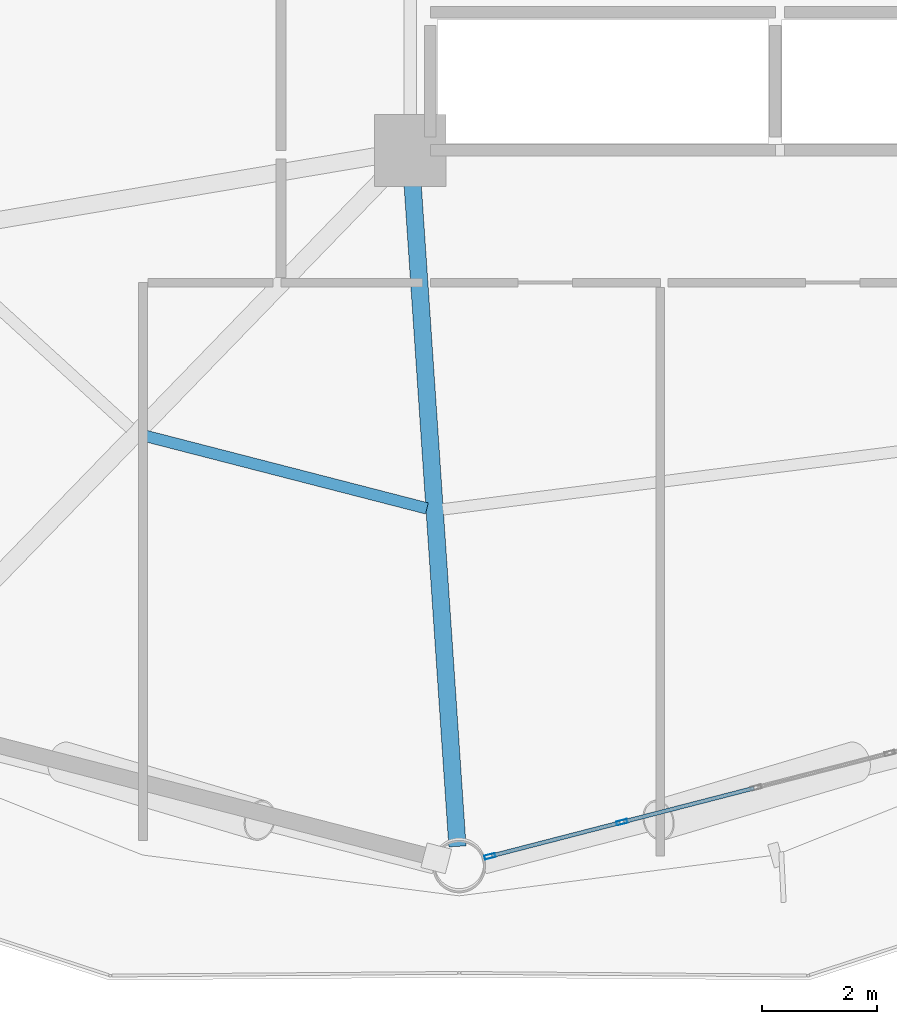
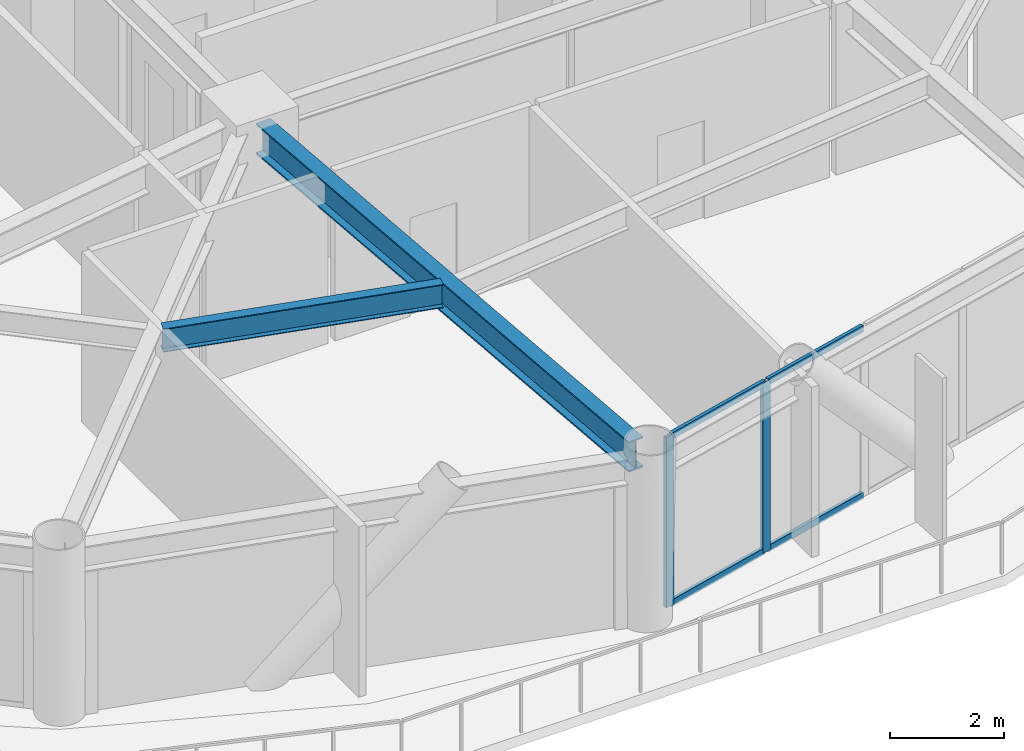
# One storey, part 7 of 24: 6 members, 2 beams, 1 element without a shape of its own.
"""IFC4 building model written with IfcOpenShell, lengths in metres."""

from ifc_helpers import new_model, si_unit, direction, frame, origin, origin_2d, place, context, subcontext, project, spatial, hollow_rectangle, i_section, extrude, material, layer, layer_set, material_profile, profile_set, type_object, element, aggregate, save


model = new_model("IFC4")

# Units and contexts
model_context = context("Model", 3, precision=1e-05, world=origin(), true_north=direction((0.0, 1.0)))
body_context = subcontext(model_context, "Body", "Model", "MODEL_VIEW")
ifc_project = project(units=[si_unit("LENGTHUNIT", "METRE"), si_unit("AREAUNIT", "SQUARE_METRE"), si_unit("VOLUMEUNIT", "CUBIC_METRE"), si_unit("PLANEANGLEUNIT", "RADIAN"), si_unit("MASSUNIT", "GRAM", prefix="KILO")], contexts=[model_context])

# Site, building, storey
site_placement = place(None, origin())
site = spatial("IfcSite", under=ifc_project, at=site_placement, CompositionType="ELEMENT")
building_placement = place(site_placement, origin())
building = spatial("IfcBuilding", under=site, at=building_placement, Name="Varnakorn Sky Granary", CompositionType="ELEMENT")
storey_placement = place(building_placement, frame((0.0, 0.0, 43.199951171875)))
storey = spatial("IfcBuildingStorey", under=building, at=storey_placement, Name="L10", CompositionType="ELEMENT", Elevation=43.199951171875)

# Beams
ifc_material_1 = material(Name="Steel S355JR", Category="steel")
ifc_material_profile_1 = material_profile(ifc_material_1, i_section(OverallWidth=0.300048828125, OverallDepth=0.64990234375, WebThickness=0.01611328125, FlangeThickness=0.031005859375, at=origin_2d()), Name="HE 650 B")
ifc_profile_set_1 = profile_set([ifc_material_profile_1], Name="Steel S355JR")
beam_type_1 = type_object("IfcBeamType", Name="BM-RAD-Z1", PredefinedType="BEAM", material=ifc_profile_set_1)
beam_1_placement = place(storey_placement, frame((-2.321533203125, -7.01904296875, 3.31494140625), z_axis=(0.067574189043, -0.997714252166, 0.0), x_axis=(0.997714252166, 0.067574189043, 0.0)))
element("IfcBeam", 1, at=beam_1_placement, inside=storey, type_object=beam_type_1, Name="Radial Floor Girder RG10 L10", PredefinedType="BEAM", context=body_context, shape_type="SweptSolid", body=[
    extrude(i_section(OverallWidth=0.300048828125, OverallDepth=0.64990234375, WebThickness=0.01611328125, FlangeThickness=0.031005859375, at=origin_2d()), origin(), (0.0, 0.0, 1.0), 11.716796875),
])
ifc_material_profile_2 = material_profile(ifc_material_1, i_section(OverallWidth=0.199951171875, OverallDepth=0.5, WebThickness=0.01025390625, FlangeThickness=0.01611328125, at=origin_2d()), Name="IPE 500")
ifc_profile_set_2 = profile_set([ifc_material_profile_2], Name="Steel S355JR")
beam_type_2 = type_object("IfcBeamType", Name="BM-SEC-Z1", PredefinedType="BEAM", material=ifc_profile_set_2)
beam_2_placement = place(storey_placement, frame((-6.985595703125, -11.560791015625, 3.39013671875), z_axis=(0.968395254107, -0.24942059222, 0.0), x_axis=(0.24942059222, 0.968395254107, 0.0)))
element("IfcBeam", 2, at=beam_2_placement, inside=storey, type_object=beam_type_2, Name="Secondary Floor Chord Beam MSB09 L10", PredefinedType="BEAM", context=body_context, shape_type="SweptSolid", body=[
    extrude(i_section(OverallWidth=0.199951171875, OverallDepth=0.5, WebThickness=0.01025390625, FlangeThickness=0.01611328125, at=origin_2d()), origin(), (0.0, 0.0, 1.0), 5.0849609375),
])

# Curtain wall, members
ifc_material_2 = material(Name="Anodised Bronze Aluminium Alloy 6063-T6", Category="aluminium")
ifc_layer = layer(ifc_material_2, 0.18994140625, Name="Anodised Bronze Aluminium Alloy 6063-T6")
ifc_layer_set = layer_set([ifc_layer], Name="Anodised Bronze Aluminium Alloy 6063-T6")
curtain_wall_type = type_object("IfcCurtainWallType", Name="CW-FRM-1", PredefinedType="USERDEFINED", material=ifc_layer_set)
curtain_wall_placement = place(storey_placement, origin())
curtain_wall = element("IfcCurtainWall", 3, at=curtain_wall_placement, inside=storey, type_object=curtain_wall_type, Name="Unitised Curtain Wall CW3 CW-L10-B10", ObjectType="CURTAIN WALL", PredefinedType="USERDEFINED")
ifc_material_profile_3 = material_profile(ifc_material_2, hollow_rectangle(XDim=0.070068359375, YDim=0.18505859375, WallThickness=0.00390625, at=origin_2d()), Name="ALU MULL 70x185")
ifc_profile_set_3 = profile_set([ifc_material_profile_3], Name="Anodised Bronze Aluminium Alloy 6063-T6")
member_type_1 = type_object("IfcMemberType", Name="CW-FRM-1-MULL", PredefinedType="MULLION", material=ifc_profile_set_3)
member_1_placement = place(storey_placement, frame((1.3310546875, -18.2880859375, 0.0), z_axis=(0.0, 0.0, 1.0), x_axis=(0.249960319337, -0.968256081188, 0.0)))
member_1 = element("IfcMember", 4, at=member_1_placement, type_object=member_type_1, Name="CW3 mullion 4", PredefinedType="MULLION", context=body_context, shape_type="SweptSolid", body=[
    extrude(hollow_rectangle(XDim=0.070068359375, YDim=0.18505859375, WallThickness=0.00390625, at=origin_2d()), origin(), (0.0, 0.0, 1.0), 3.64013671875),
])
member_2_placement = place(storey_placement, frame((-0.965576171875, -18.881103515625, 0.0), z_axis=(0.0, 0.0, 1.0), x_axis=(0.249960319337, -0.968256081188, 0.0)))
member_2 = element("IfcMember", 5, at=member_2_placement, type_object=member_type_1, Name="CW3 mullion 5", PredefinedType="MULLION", context=body_context, shape_type="SweptSolid", body=[
    extrude(hollow_rectangle(XDim=0.070068359375, YDim=0.18505859375, WallThickness=0.00390625, at=origin_2d()), origin(), (0.0, 0.0, 1.0), 3.64013671875),
])
ifc_material_profile_4 = material_profile(ifc_material_2, hollow_rectangle(XDim=0.070068359375, YDim=0.139892578125, WallThickness=0.00341796875, at=origin_2d()), Name="ALU TRAN 70x140")
ifc_profile_set_4 = profile_set([ifc_material_profile_4], Name="Anodised Bronze Aluminium Alloy 6063-T6")
member_type_2 = type_object("IfcMemberType", Name="CW-FRM-1-TRAN", PredefinedType="USERDEFINED", material=ifc_profile_set_4)
member_3_placement = place(storey_placement, frame((3.6279296875, -17.6953125, 0.03515625), z_axis=(-0.968277323709, -0.249878019022, 0.0), x_axis=(0.249878019022, -0.968277323709, 0.0)))
member_3 = element("IfcMember", 6, at=member_3_placement, type_object=member_type_2, Name="CW3 transom 3.1", ObjectType="TRANSOM", PredefinedType="USERDEFINED", context=body_context, shape_type="SweptSolid", body=[
    extrude(hollow_rectangle(XDim=0.070068359375, YDim=0.139892578125, WallThickness=0.00341796875, at=origin_2d()), origin(), (0.0, 0.0, 1.0), 2.337158203125),
])
member_4_placement = place(storey_placement, frame((3.6279296875, -17.6953125, 3.60498046875), z_axis=(-0.968277323709, -0.249878019022, 0.0), x_axis=(0.249878019022, -0.968277323709, 0.0)))
member_4 = element("IfcMember", 7, at=member_4_placement, type_object=member_type_2, Name="CW3 transom 3.2", ObjectType="TRANSOM", PredefinedType="USERDEFINED", context=body_context, shape_type="SweptSolid", body=[
    extrude(hollow_rectangle(XDim=0.070068359375, YDim=0.139892578125, WallThickness=0.00341796875, at=origin_2d()), origin(), (0.0, 0.0, 1.0), 2.337158203125),
])
member_5_placement = place(storey_placement, frame((1.29736328125, -18.296875, 0.03515625), z_axis=(-0.968254971313, -0.249964618552, 0.0), x_axis=(0.249964618552, -0.968254971313, 0.0)))
member_5 = element("IfcMember", 8, at=member_5_placement, type_object=member_type_2, Name="CW3 transom 4.1", ObjectType="TRANSOM", PredefinedType="USERDEFINED", context=body_context, shape_type="SweptSolid", body=[
    extrude(hollow_rectangle(XDim=0.070068359375, YDim=0.139892578125, WallThickness=0.00341796875, at=origin_2d()), origin(), (0.0, 0.0, 1.0), 2.302001953125),
])
member_6_placement = place(storey_placement, frame((1.29736328125, -18.296875, 3.60498046875), z_axis=(-0.968254971313, -0.249964618552, 0.0), x_axis=(0.249964618552, -0.968254971313, 0.0)))
member_6 = element("IfcMember", 9, at=member_6_placement, type_object=member_type_2, Name="CW3 transom 4.2", ObjectType="TRANSOM", PredefinedType="USERDEFINED", context=body_context, shape_type="SweptSolid", body=[
    extrude(hollow_rectangle(XDim=0.070068359375, YDim=0.139892578125, WallThickness=0.00341796875, at=origin_2d()), origin(), (0.0, 0.0, 1.0), 2.302001953125),
])
aggregate(curtain_wall, [member_1, member_2, member_3, member_4, member_5, member_6])

save(model, "model.ifc")
